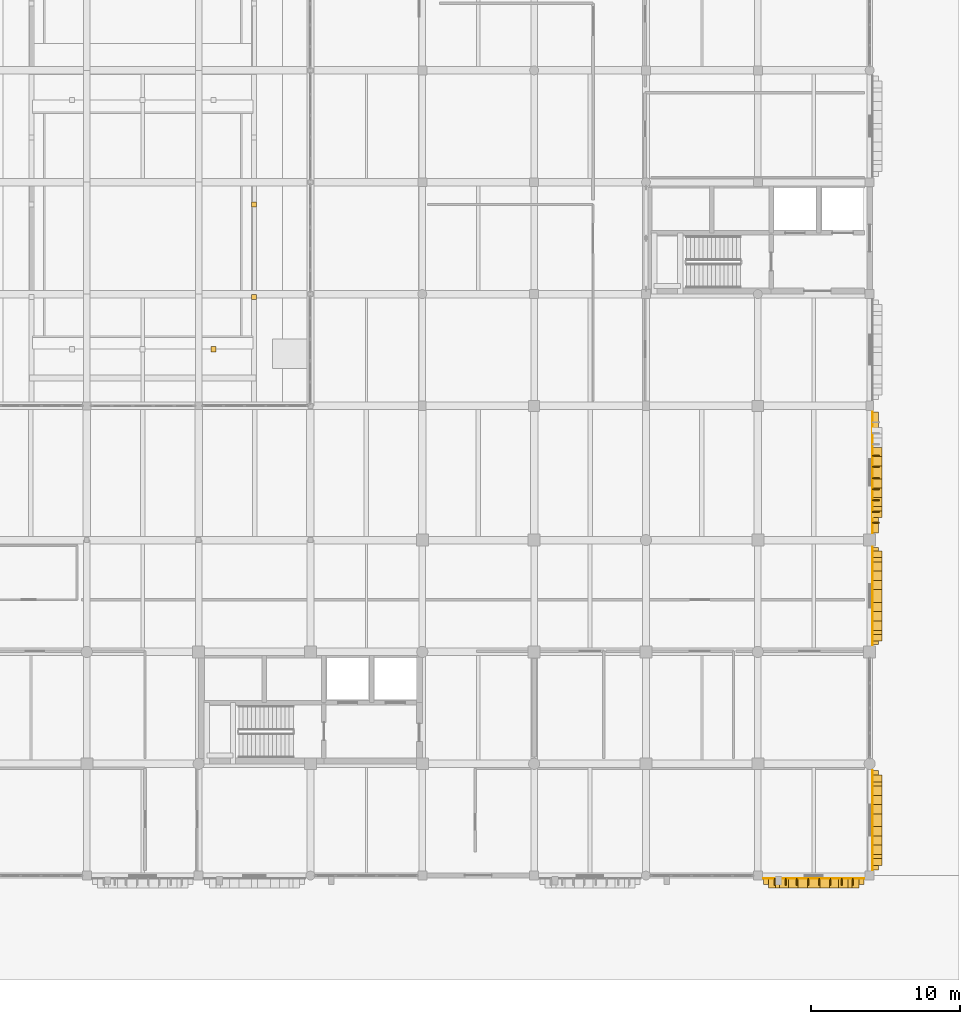
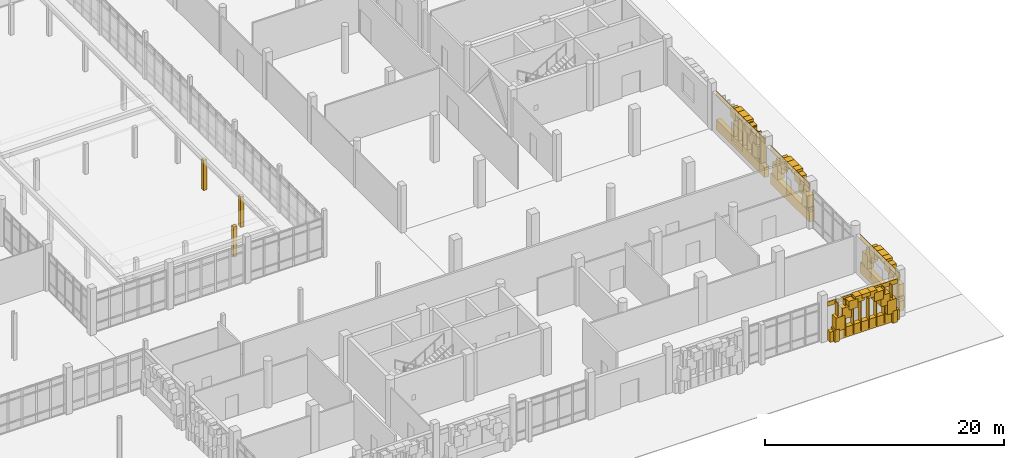
# One storey, part 119 of 125: 52 coverings, 15 shading devices.
"""IFC4 building model written with IfcOpenShell, lengths in metres."""

from ifc_helpers import new_model, si_unit, direction, frame, origin, origin_2d, place, context, subcontext, project, spatial, rectangle, extrude, material, layer, layer_set, type_object, element, save


model = new_model("IFC4")

# Units and contexts
model_context = context("Model", 3, precision=1e-05, world=origin(), true_north=direction((0.0, 1.0)))
body_context = subcontext(model_context, "Body", "Model", "MODEL_VIEW")
ifc_project = project(units=[si_unit("LENGTHUNIT", "METRE"), si_unit("AREAUNIT", "SQUARE_METRE"), si_unit("VOLUMEUNIT", "CUBIC_METRE"), si_unit("PLANEANGLEUNIT", "RADIAN"), si_unit("MASSUNIT", "GRAM", prefix="KILO")], contexts=[model_context])

# Site, building, storey
site_placement = place(None, origin())
site = spatial("IfcSite", under=ifc_project, at=site_placement, CompositionType="ELEMENT")
building_placement = place(site_placement, origin())
building = spatial("IfcBuilding", under=site, at=building_placement, Name="Dalvernix Boulevard General Hospital", CompositionType="ELEMENT")
storey_placement = place(building_placement, origin())
storey = spatial("IfcBuildingStorey", under=building, at=storey_placement, Name="L00", CompositionType="ELEMENT", Elevation=0.0)

# Coverings
ifc_material_1 = material(Name="Pressed Catalan clay brick and dressed limestone parabolic archivolt", Category="masonry")
ifc_layer_1 = layer(ifc_material_1, 0.419921875)
ifc_layer_set_1 = layer_set([ifc_layer_1], Name="Pressed Catalan clay brick and dressed limestone parabolic archivolt (COV-ARC-01)")
covering_type_1 = type_object("IfcCoveringType", Name="COV-ARC-01", PredefinedType="CLADDING", material=ifc_layer_set_1)
for number, where, z_axis, x_axis, name in (
    (1, (171.550048828125, -0.485107421875, 0.0), (0.0, 0.0, 1.0), (-1.0, 0.0, 0.0), "L00 Catalan parabolic arch impost pier S 22-0-L"),
    (2, (165.949951171875, -0.485107421875, 0.0), (0.0, 0.0, 1.0), (-1.0, 0.0, 0.0), "L00 Catalan parabolic arch impost pier S 22-0-R"),
):
    element("IfcCovering", number, at=place(storey_placement, frame(where, z_axis=z_axis, x_axis=x_axis)), inside=storey, type_object=covering_type_1, Name=name, PredefinedType="CLADDING", context=body_context, shape_type="SweptSolid", body=[
        extrude(rectangle(XDim=0.4599609375, YDim=0.659912109375, at=origin_2d()), origin(), (0.0, 0.0, 1.0), 1.25),
    ])
covering_1_placement = place(storey_placement, frame((171.239013671875, -0.485107421875, 1.059814453125), z_axis=(0.0, 0.0, 1.0), x_axis=(-1.0, 0.0, 0.0)))
element("IfcCovering", 3, at=covering_1_placement, inside=storey, type_object=covering_type_1, Name="L00 Catalan parabolic archivolt voussoir S 22-0-1", PredefinedType="CLADDING", context=body_context, shape_type="SweptSolid", body=[
    extrude(rectangle(XDim=0.8623046875, YDim=0.659912109375, at=origin_2d()), origin(), (0.0, 0.0, 1.0), 1.3994140625),
])
covering_2_placement = place(storey_placement, frame((170.61669921875, -0.485107421875, 2.07958984375), z_axis=(0.0, 0.0, 1.0), x_axis=(-1.0, 0.0, 0.0)))
element("IfcCovering", 4, at=covering_2_placement, inside=storey, type_object=covering_type_1, Name="L00 Catalan parabolic archivolt voussoir S 22-0-2", PredefinedType="CLADDING", context=body_context, shape_type="SweptSolid", body=[
    extrude(rectangle(XDim=0.8623046875, YDim=0.659912109375, at=origin_2d()), origin(), (0.0, 0.0, 1.0), 1.144287109375),
])
covering_3_placement = place(storey_placement, frame((169.994384765625, -0.485107421875, 2.84375), z_axis=(0.0, 0.0, 1.0), x_axis=(-1.0, 0.0, 0.0)))
element("IfcCovering", 5, at=covering_3_placement, inside=storey, type_object=covering_type_1, Name="L00 Catalan parabolic archivolt voussoir S 22-0-3", PredefinedType="CLADDING", context=body_context, shape_type="SweptSolid", body=[
    extrude(rectangle(XDim=0.8623046875, YDim=0.659912109375, at=origin_2d()), origin(), (0.0, 0.0, 1.0), 0.8896484375),
])
covering_4_placement = place(storey_placement, frame((169.372314453125, -0.485107421875, 3.353271484375), z_axis=(0.0, 0.0, 1.0), x_axis=(-1.0, 0.0, 0.0)))
element("IfcCovering", 6, at=covering_4_placement, inside=storey, type_object=covering_type_1, Name="L00 Catalan parabolic archivolt voussoir S 22-0-4", PredefinedType="CLADDING", context=body_context, shape_type="SweptSolid", body=[
    extrude(rectangle(XDim=0.8623046875, YDim=0.659912109375, at=origin_2d()), origin(), (0.0, 0.0, 1.0), 0.634765625),
])
covering_5_placement = place(storey_placement, frame((168.75, -0.485107421875, 3.608154296875), z_axis=(0.0, 0.0, 1.0), x_axis=(-1.0, 0.0, 0.0)))
element("IfcCovering", 7, at=covering_5_placement, inside=storey, type_object=covering_type_1, Name="L00 Catalan parabolic archivolt voussoir S 22-0-5", PredefinedType="CLADDING", context=body_context, shape_type="SweptSolid", body=[
    extrude(rectangle(XDim=0.8623046875, YDim=0.659912109375, at=origin_2d()), origin(), (0.0, 0.0, 1.0), 0.3798828125),
])
covering_6_placement = place(storey_placement, frame((168.127685546875, -0.485107421875, 3.353271484375), z_axis=(0.0, 0.0, 1.0), x_axis=(-1.0, 0.0, 0.0)))
element("IfcCovering", 8, at=covering_6_placement, inside=storey, type_object=covering_type_1, Name="L00 Catalan parabolic archivolt voussoir S 22-0-6", PredefinedType="CLADDING", context=body_context, shape_type="SweptSolid", body=[
    extrude(rectangle(XDim=0.8623046875, YDim=0.659912109375, at=origin_2d()), origin(), (0.0, 0.0, 1.0), 0.634765625),
])
covering_7_placement = place(storey_placement, frame((167.505615234375, -0.485107421875, 2.84375), z_axis=(0.0, 0.0, 1.0), x_axis=(-1.0, 0.0, 0.0)))
element("IfcCovering", 9, at=covering_7_placement, inside=storey, type_object=covering_type_1, Name="L00 Catalan parabolic archivolt voussoir S 22-0-7", PredefinedType="CLADDING", context=body_context, shape_type="SweptSolid", body=[
    extrude(rectangle(XDim=0.8623046875, YDim=0.659912109375, at=origin_2d()), origin(), (0.0, 0.0, 1.0), 0.8896484375),
])
covering_8_placement = place(storey_placement, frame((166.88330078125, -0.485107421875, 2.07958984375), z_axis=(0.0, 0.0, 1.0), x_axis=(-1.0, 0.0, 0.0)))
element("IfcCovering", 10, at=covering_8_placement, inside=storey, type_object=covering_type_1, Name="L00 Catalan parabolic archivolt voussoir S 22-0-8", PredefinedType="CLADDING", context=body_context, shape_type="SweptSolid", body=[
    extrude(rectangle(XDim=0.8623046875, YDim=0.659912109375, at=origin_2d()), origin(), (0.0, 0.0, 1.0), 1.144287109375),
])
covering_9_placement = place(storey_placement, frame((166.260986328125, -0.485107421875, 1.059814453125), z_axis=(0.0, 0.0, 1.0), x_axis=(-1.0, 0.0, 0.0)))
element("IfcCovering", 11, at=covering_9_placement, inside=storey, type_object=covering_type_1, Name="L00 Catalan parabolic archivolt voussoir S 22-0-9", PredefinedType="CLADDING", context=body_context, shape_type="SweptSolid", body=[
    extrude(rectangle(XDim=0.8623046875, YDim=0.659912109375, at=origin_2d()), origin(), (0.0, 0.0, 1.0), 1.3994140625),
])
for number, where, z_axis, x_axis, name in (
    (12, (172.985107421875, 6.512451171875, 0.0), (0.0, 0.0, 1.0), (0.0, -1.0, 0.0), "L00 Catalan parabolic arch impost pier E 23-0-L"),
    (13, (172.985107421875, 0.91259765625, 0.0), (0.0, 0.0, 1.0), (0.0, -1.0, 0.0), "L00 Catalan parabolic arch impost pier E 23-0-R"),
):
    element("IfcCovering", number, at=place(storey_placement, frame(where, z_axis=z_axis, x_axis=x_axis)), inside=storey, type_object=covering_type_1, Name=name, PredefinedType="CLADDING", context=body_context, shape_type="SweptSolid", body=[
        extrude(rectangle(XDim=0.4599609375, YDim=0.659912109375, at=origin_2d()), origin(), (0.0, 0.0, 1.0), 1.25),
    ])
covering_10_placement = place(storey_placement, frame((172.985107421875, 6.201416015625, 1.06005859375), z_axis=(0.0, 0.0, 1.0), x_axis=(0.0, -1.0, 0.0)))
element("IfcCovering", 14, at=covering_10_placement, inside=storey, type_object=covering_type_1, Name="L00 Catalan parabolic archivolt voussoir E 23-0-1", PredefinedType="CLADDING", context=body_context, shape_type="SweptSolid", body=[
    extrude(rectangle(XDim=0.8623046875, YDim=0.659912109375, at=origin_2d()), origin(), (0.0, 0.0, 1.0), 1.37939453125),
])
covering_11_placement = place(storey_placement, frame((172.985107421875, 5.5791015625, 2.0595703125), z_axis=(0.0, 0.0, 1.0), x_axis=(0.0, -1.0, 0.0)))
element("IfcCovering", 15, at=covering_11_placement, inside=storey, type_object=covering_type_1, Name="L00 Catalan parabolic archivolt voussoir E 23-0-2", PredefinedType="CLADDING", context=body_context, shape_type="SweptSolid", body=[
    extrude(rectangle(XDim=0.8623046875, YDim=0.659912109375, at=origin_2d()), origin(), (0.0, 0.0, 1.0), 1.129638671875),
])
covering_12_placement = place(storey_placement, frame((172.985107421875, 4.956787109375, 2.80908203125), z_axis=(0.0, 0.0, 1.0), x_axis=(0.0, -1.0, 0.0)))
element("IfcCovering", 16, at=covering_12_placement, inside=storey, type_object=covering_type_1, Name="L00 Catalan parabolic archivolt voussoir E 23-0-3", PredefinedType="CLADDING", context=body_context, shape_type="SweptSolid", body=[
    extrude(rectangle(XDim=0.8623046875, YDim=0.659912109375, at=origin_2d()), origin(), (0.0, 0.0, 1.0), 0.8798828125),
])
covering_13_placement = place(storey_placement, frame((172.985107421875, 4.334716796875, 3.308837890625), z_axis=(0.0, 0.0, 1.0), x_axis=(0.0, -1.0, 0.0)))
element("IfcCovering", 17, at=covering_13_placement, inside=storey, type_object=covering_type_1, Name="L00 Catalan parabolic archivolt voussoir E 23-0-4", PredefinedType="CLADDING", context=body_context, shape_type="SweptSolid", body=[
    extrude(rectangle(XDim=0.8623046875, YDim=0.659912109375, at=origin_2d()), origin(), (0.0, 0.0, 1.0), 0.6298828125),
])
covering_14_placement = place(storey_placement, frame((172.985107421875, 3.71240234375, 3.558837890625), z_axis=(0.0, 0.0, 1.0), x_axis=(0.0, -1.0, 0.0)))
element("IfcCovering", 18, at=covering_14_placement, inside=storey, type_object=covering_type_1, Name="L00 Catalan parabolic archivolt voussoir E 23-0-5", PredefinedType="CLADDING", context=body_context, shape_type="SweptSolid", body=[
    extrude(rectangle(XDim=0.8623046875, YDim=0.659912109375, at=origin_2d()), origin(), (0.0, 0.0, 1.0), 0.3798828125),
])
covering_15_placement = place(storey_placement, frame((172.985107421875, 3.09033203125, 3.308837890625), z_axis=(0.0, 0.0, 1.0), x_axis=(0.0, -1.0, 0.0)))
element("IfcCovering", 19, at=covering_15_placement, inside=storey, type_object=covering_type_1, Name="L00 Catalan parabolic archivolt voussoir E 23-0-6", PredefinedType="CLADDING", context=body_context, shape_type="SweptSolid", body=[
    extrude(rectangle(XDim=0.8623046875, YDim=0.659912109375, at=origin_2d()), origin(), (0.0, 0.0, 1.0), 0.6298828125),
])
covering_16_placement = place(storey_placement, frame((172.985107421875, 2.468017578125, 2.80908203125), z_axis=(0.0, 0.0, 1.0), x_axis=(0.0, -1.0, 0.0)))
element("IfcCovering", 20, at=covering_16_placement, inside=storey, type_object=covering_type_1, Name="L00 Catalan parabolic archivolt voussoir E 23-0-7", PredefinedType="CLADDING", context=body_context, shape_type="SweptSolid", body=[
    extrude(rectangle(XDim=0.8623046875, YDim=0.659912109375, at=origin_2d()), origin(), (0.0, 0.0, 1.0), 0.8798828125),
])
covering_17_placement = place(storey_placement, frame((172.985107421875, 1.845703125, 2.0595703125), z_axis=(0.0, 0.0, 1.0), x_axis=(0.0, -1.0, 0.0)))
element("IfcCovering", 21, at=covering_17_placement, inside=storey, type_object=covering_type_1, Name="L00 Catalan parabolic archivolt voussoir E 23-0-8", PredefinedType="CLADDING", context=body_context, shape_type="SweptSolid", body=[
    extrude(rectangle(XDim=0.8623046875, YDim=0.659912109375, at=origin_2d()), origin(), (0.0, 0.0, 1.0), 1.129638671875),
])
covering_18_placement = place(storey_placement, frame((172.985107421875, 1.2236328125, 1.06005859375), z_axis=(0.0, 0.0, 1.0), x_axis=(0.0, -1.0, 0.0)))
element("IfcCovering", 22, at=covering_18_placement, inside=storey, type_object=covering_type_1, Name="L00 Catalan parabolic archivolt voussoir E 23-0-9", PredefinedType="CLADDING", context=body_context, shape_type="SweptSolid", body=[
    extrude(rectangle(XDim=0.8623046875, YDim=0.659912109375, at=origin_2d()), origin(), (0.0, 0.0, 1.0), 1.37939453125),
])
for number, where, z_axis, x_axis, name in (
    (23, (172.985107421875, 21.550048828125, 0.0), (0.0, 0.0, 1.0), (0.0, -1.0, 0.0), "L00 Catalan parabolic arch impost pier E 23-2-L"),
    (24, (172.985107421875, 15.949951171875, 0.0), (0.0, 0.0, 1.0), (0.0, -1.0, 0.0), "L00 Catalan parabolic arch impost pier E 23-2-R"),
):
    element("IfcCovering", number, at=place(storey_placement, frame(where, z_axis=z_axis, x_axis=x_axis)), inside=storey, type_object=covering_type_1, Name=name, PredefinedType="CLADDING", context=body_context, shape_type="SweptSolid", body=[
        extrude(rectangle(XDim=0.4599609375, YDim=0.659912109375, at=origin_2d()), origin(), (0.0, 0.0, 1.0), 1.25),
    ])
covering_19_placement = place(storey_placement, frame((172.985107421875, 21.239013671875, 1.06005859375), z_axis=(0.0, 0.0, 1.0), x_axis=(0.0, -1.0, 0.0)))
element("IfcCovering", 25, at=covering_19_placement, inside=storey, type_object=covering_type_1, Name="L00 Catalan parabolic archivolt voussoir E 23-2-1", PredefinedType="CLADDING", context=body_context, shape_type="SweptSolid", body=[
    extrude(rectangle(XDim=0.8623046875, YDim=0.659912109375, at=origin_2d()), origin(), (0.0, 0.0, 1.0), 1.37939453125),
])
covering_20_placement = place(storey_placement, frame((172.985107421875, 20.61669921875, 2.0595703125), z_axis=(0.0, 0.0, 1.0), x_axis=(0.0, -1.0, 0.0)))
element("IfcCovering", 26, at=covering_20_placement, inside=storey, type_object=covering_type_1, Name="L00 Catalan parabolic archivolt voussoir E 23-2-2", PredefinedType="CLADDING", context=body_context, shape_type="SweptSolid", body=[
    extrude(rectangle(XDim=0.8623046875, YDim=0.659912109375, at=origin_2d()), origin(), (0.0, 0.0, 1.0), 1.129638671875),
])
covering_21_placement = place(storey_placement, frame((172.985107421875, 19.994384765625, 2.80908203125), z_axis=(0.0, 0.0, 1.0), x_axis=(0.0, -1.0, 0.0)))
element("IfcCovering", 27, at=covering_21_placement, inside=storey, type_object=covering_type_1, Name="L00 Catalan parabolic archivolt voussoir E 23-2-3", PredefinedType="CLADDING", context=body_context, shape_type="SweptSolid", body=[
    extrude(rectangle(XDim=0.8623046875, YDim=0.659912109375, at=origin_2d()), origin(), (0.0, 0.0, 1.0), 0.8798828125),
])
covering_22_placement = place(storey_placement, frame((172.985107421875, 19.372314453125, 3.308837890625), z_axis=(0.0, 0.0, 1.0), x_axis=(0.0, -1.0, 0.0)))
element("IfcCovering", 28, at=covering_22_placement, inside=storey, type_object=covering_type_1, Name="L00 Catalan parabolic archivolt voussoir E 23-2-4", PredefinedType="CLADDING", context=body_context, shape_type="SweptSolid", body=[
    extrude(rectangle(XDim=0.8623046875, YDim=0.659912109375, at=origin_2d()), origin(), (0.0, 0.0, 1.0), 0.6298828125),
])
covering_23_placement = place(storey_placement, frame((172.985107421875, 18.75, 3.558837890625), z_axis=(0.0, 0.0, 1.0), x_axis=(0.0, -1.0, 0.0)))
element("IfcCovering", 29, at=covering_23_placement, inside=storey, type_object=covering_type_1, Name="L00 Catalan parabolic archivolt voussoir E 23-2-5", PredefinedType="CLADDING", context=body_context, shape_type="SweptSolid", body=[
    extrude(rectangle(XDim=0.8623046875, YDim=0.659912109375, at=origin_2d()), origin(), (0.0, 0.0, 1.0), 0.3798828125),
])
covering_24_placement = place(storey_placement, frame((172.985107421875, 18.127685546875, 3.308837890625), z_axis=(0.0, 0.0, 1.0), x_axis=(0.0, -1.0, 0.0)))
element("IfcCovering", 30, at=covering_24_placement, inside=storey, type_object=covering_type_1, Name="L00 Catalan parabolic archivolt voussoir E 23-2-6", PredefinedType="CLADDING", context=body_context, shape_type="SweptSolid", body=[
    extrude(rectangle(XDim=0.8623046875, YDim=0.659912109375, at=origin_2d()), origin(), (0.0, 0.0, 1.0), 0.6298828125),
])
covering_25_placement = place(storey_placement, frame((172.985107421875, 17.505615234375, 2.80908203125), z_axis=(0.0, 0.0, 1.0), x_axis=(0.0, -1.0, 0.0)))
element("IfcCovering", 31, at=covering_25_placement, inside=storey, type_object=covering_type_1, Name="L00 Catalan parabolic archivolt voussoir E 23-2-7", PredefinedType="CLADDING", context=body_context, shape_type="SweptSolid", body=[
    extrude(rectangle(XDim=0.8623046875, YDim=0.659912109375, at=origin_2d()), origin(), (0.0, 0.0, 1.0), 0.8798828125),
])
covering_26_placement = place(storey_placement, frame((172.985107421875, 16.88330078125, 2.0595703125), z_axis=(0.0, 0.0, 1.0), x_axis=(0.0, -1.0, 0.0)))
element("IfcCovering", 32, at=covering_26_placement, inside=storey, type_object=covering_type_1, Name="L00 Catalan parabolic archivolt voussoir E 23-2-8", PredefinedType="CLADDING", context=body_context, shape_type="SweptSolid", body=[
    extrude(rectangle(XDim=0.8623046875, YDim=0.659912109375, at=origin_2d()), origin(), (0.0, 0.0, 1.0), 1.129638671875),
])
covering_27_placement = place(storey_placement, frame((172.985107421875, 16.260986328125, 1.06005859375), z_axis=(0.0, 0.0, 1.0), x_axis=(0.0, -1.0, 0.0)))
element("IfcCovering", 33, at=covering_27_placement, inside=storey, type_object=covering_type_1, Name="L00 Catalan parabolic archivolt voussoir E 23-2-9", PredefinedType="CLADDING", context=body_context, shape_type="SweptSolid", body=[
    extrude(rectangle(XDim=0.8623046875, YDim=0.659912109375, at=origin_2d()), origin(), (0.0, 0.0, 1.0), 1.37939453125),
])
covering_28_placement = place(storey_placement, frame((172.985107421875, 24.237548828125, 0.0), z_axis=(0.0, 0.0, 1.0), x_axis=(0.0, -1.0, 0.0)))
element("IfcCovering", 34, at=covering_28_placement, inside=storey, type_object=covering_type_1, Name="L00 Catalan parabolic arch impost pier E 23-3-R", PredefinedType="CLADDING", context=body_context, shape_type="SweptSolid", body=[
    extrude(rectangle(XDim=0.4599609375, YDim=0.659912109375, at=origin_2d()), origin(), (0.0, 0.0, 1.0), 1.25),
])
covering_29_placement = place(storey_placement, frame((172.985107421875, 28.281982421875, 2.84375), z_axis=(0.0, 0.0, 1.0), x_axis=(0.0, -1.0, 0.0)))
element("IfcCovering", 35, at=covering_29_placement, inside=storey, type_object=covering_type_1, Name="L00 Catalan parabolic archivolt voussoir E 23-3-3", PredefinedType="CLADDING", context=body_context, shape_type="SweptSolid", body=[
    extrude(rectangle(XDim=0.8623046875, YDim=0.659912109375, at=origin_2d()), origin(), (0.0, 0.0, 1.0), 0.8896484375),
])
covering_30_placement = place(storey_placement, frame((172.985107421875, 27.65966796875, 3.353271484375), z_axis=(0.0, 0.0, 1.0), x_axis=(0.0, -1.0, 0.0)))
element("IfcCovering", 36, at=covering_30_placement, inside=storey, type_object=covering_type_1, Name="L00 Catalan parabolic archivolt voussoir E 23-3-4", PredefinedType="CLADDING", context=body_context, shape_type="SweptSolid", body=[
    extrude(rectangle(XDim=0.8623046875, YDim=0.659912109375, at=origin_2d()), origin(), (0.0, 0.0, 1.0), 0.634765625),
])
covering_31_placement = place(storey_placement, frame((172.985107421875, 27.03759765625, 3.608154296875), z_axis=(0.0, 0.0, 1.0), x_axis=(0.0, -1.0, 0.0)))
element("IfcCovering", 37, at=covering_31_placement, inside=storey, type_object=covering_type_1, Name="L00 Catalan parabolic archivolt voussoir E 23-3-5", PredefinedType="CLADDING", context=body_context, shape_type="SweptSolid", body=[
    extrude(rectangle(XDim=0.8623046875, YDim=0.659912109375, at=origin_2d()), origin(), (0.0, 0.0, 1.0), 0.3798828125),
])
covering_32_placement = place(storey_placement, frame((172.985107421875, 26.415283203125, 3.353271484375), z_axis=(0.0, 0.0, 1.0), x_axis=(0.0, -1.0, 0.0)))
element("IfcCovering", 38, at=covering_32_placement, inside=storey, type_object=covering_type_1, Name="L00 Catalan parabolic archivolt voussoir E 23-3-6", PredefinedType="CLADDING", context=body_context, shape_type="SweptSolid", body=[
    extrude(rectangle(XDim=0.8623046875, YDim=0.659912109375, at=origin_2d()), origin(), (0.0, 0.0, 1.0), 0.634765625),
])
covering_33_placement = place(storey_placement, frame((172.985107421875, 25.793212890625, 2.84375), z_axis=(0.0, 0.0, 1.0), x_axis=(0.0, -1.0, 0.0)))
element("IfcCovering", 39, at=covering_33_placement, inside=storey, type_object=covering_type_1, Name="L00 Catalan parabolic archivolt voussoir E 23-3-7", PredefinedType="CLADDING", context=body_context, shape_type="SweptSolid", body=[
    extrude(rectangle(XDim=0.8623046875, YDim=0.659912109375, at=origin_2d()), origin(), (0.0, 0.0, 1.0), 0.8896484375),
])
covering_34_placement = place(storey_placement, frame((172.985107421875, 25.1708984375, 2.07958984375), z_axis=(0.0, 0.0, 1.0), x_axis=(0.0, -1.0, 0.0)))
element("IfcCovering", 40, at=covering_34_placement, inside=storey, type_object=covering_type_1, Name="L00 Catalan parabolic archivolt voussoir E 23-3-8", PredefinedType="CLADDING", context=body_context, shape_type="SweptSolid", body=[
    extrude(rectangle(XDim=0.8623046875, YDim=0.659912109375, at=origin_2d()), origin(), (0.0, 0.0, 1.0), 1.144287109375),
])
covering_35_placement = place(storey_placement, frame((172.985107421875, 24.548583984375, 1.059814453125), z_axis=(0.0, 0.0, 1.0), x_axis=(0.0, -1.0, 0.0)))
element("IfcCovering", 41, at=covering_35_placement, inside=storey, type_object=covering_type_1, Name="L00 Catalan parabolic archivolt voussoir E 23-3-9", PredefinedType="CLADDING", context=body_context, shape_type="SweptSolid", body=[
    extrude(rectangle(XDim=0.8623046875, YDim=0.659912109375, at=origin_2d()), origin(), (0.0, 0.0, 1.0), 1.3994140625),
])
ifc_material_2 = material(Name="Polychrome Catalan glazed ceramic spandrel tile panel")
ifc_layer_2 = layer(ifc_material_2, 0.044921875)
ifc_layer_set_2 = layer_set([ifc_layer_2], Name="Polychrome Catalan glazed ceramic spandrel tile panel (COV-CLD-01)")
covering_type_2 = type_object("IfcCoveringType", Name="COV-CLD-01", PredefinedType="CLADDING", material=ifc_layer_set_2)
covering_36_placement = place(storey_placement, frame((168.75, -0.195068359375, 3.47509765625), z_axis=(0.0, 0.0, 1.0), x_axis=(-1.0, 0.0, 0.0)))
element("IfcCovering", 42, at=covering_36_placement, inside=storey, type_object=covering_type_2, Name="L00 polychrome ceramic spandrel S 22-0", PredefinedType="CLADDING", context=body_context, shape_type="SweptSolid", body=[
    extrude(rectangle(XDim=6.780029296875, YDim=0.044921875, at=origin_2d()), origin(), (0.0, 0.0, 1.0), 0.449951171875),
])
covering_37_placement = place(storey_placement, frame((172.695068359375, 3.71240234375, 3.4248046875), z_axis=(0.0, 0.0, 1.0), x_axis=(0.0, -1.0, 0.0)))
element("IfcCovering", 43, at=covering_37_placement, inside=storey, type_object=covering_type_2, Name="L00 polychrome ceramic spandrel E 23-0", PredefinedType="CLADDING", context=body_context, shape_type="SweptSolid", body=[
    extrude(rectangle(XDim=6.705078125, YDim=0.044921875, at=origin_2d()), origin(), (0.0, 0.0, 1.0), 0.449951171875),
])
covering_38_placement = place(storey_placement, frame((172.695068359375, 18.75, 3.4248046875), z_axis=(0.0, 0.0, 1.0), x_axis=(0.0, -1.0, 0.0)))
element("IfcCovering", 44, at=covering_38_placement, inside=storey, type_object=covering_type_2, Name="L00 polychrome ceramic spandrel E 23-2", PredefinedType="CLADDING", context=body_context, shape_type="SweptSolid", body=[
    extrude(rectangle(XDim=6.580078125, YDim=0.044921875, at=origin_2d()), origin(), (0.0, 0.0, 1.0), 0.449951171875),
])
covering_39_placement = place(storey_placement, frame((172.695068359375, 27.03759765625, 3.47509765625), z_axis=(0.0, 0.0, 1.0), x_axis=(0.0, -1.0, 0.0)))
element("IfcCovering", 45, at=covering_39_placement, inside=storey, type_object=covering_type_2, Name="L00 polychrome ceramic spandrel E 23-3", PredefinedType="CLADDING", context=body_context, shape_type="SweptSolid", body=[
    extrude(rectangle(XDim=8.155029296875, YDim=0.044921875, at=origin_2d()), origin(), (0.0, 0.0, 1.0), 0.449951171875),
])
ifc_material_3 = material(Name="Dressed ochre limestone classical plinth, stringcourse and corbelled cornice", Category="masonry")
ifc_layer_3 = layer(ifc_material_3, 0.449951171875)
ifc_layer_set_3 = layer_set([ifc_layer_3], Name="Dressed ochre limestone classical plinth, stringcourse and corbelled cornice (COV-CRN-01)")
covering_type_3 = type_object("IfcCoveringType", Name="COV-CRN-01", PredefinedType="CLADDING", material=ifc_layer_set_3)
covering_40_placement = place(storey_placement, frame((168.75, -0.375, 0.0), z_axis=(0.0, 0.0, 1.0), x_axis=(-1.0, 0.0, 0.0)))
element("IfcCovering", 46, at=covering_40_placement, inside=storey, type_object=covering_type_3, Name="L00 rusticated limestone classical plinth S 22-0", PredefinedType="CLADDING", context=body_context, shape_type="SweptSolid", body=[
    extrude(rectangle(XDim=6.719970703125, YDim=0.43994140625, at=origin_2d()), origin(), (0.0, 0.0, 1.0), 1.0400390625),
])
covering_41_placement = place(storey_placement, frame((172.875, 3.71240234375, 0.0), z_axis=(0.0, 0.0, 1.0), x_axis=(0.0, -1.0, 0.0)))
element("IfcCovering", 47, at=covering_41_placement, inside=storey, type_object=covering_type_3, Name="L00 rusticated limestone classical plinth E 23-0", PredefinedType="CLADDING", context=body_context, shape_type="SweptSolid", body=[
    extrude(rectangle(XDim=6.64501953125, YDim=0.43994140625, at=origin_2d()), origin(), (0.0, 0.0, 1.0), 1.0400390625),
])
covering_42_placement = place(storey_placement, frame((172.875, 18.75, 0.0), z_axis=(0.0, 0.0, 1.0), x_axis=(0.0, -1.0, 0.0)))
element("IfcCovering", 48, at=covering_42_placement, inside=storey, type_object=covering_type_3, Name="L00 rusticated limestone classical plinth E 23-2", PredefinedType="CLADDING", context=body_context, shape_type="SweptSolid", body=[
    extrude(rectangle(XDim=6.52001953125, YDim=0.43994140625, at=origin_2d()), origin(), (0.0, 0.0, 1.0), 1.0400390625),
])
covering_43_placement = place(storey_placement, frame((172.875, 27.03759765625, 0.0), z_axis=(0.0, 0.0, 1.0), x_axis=(0.0, -1.0, 0.0)))
element("IfcCovering", 49, at=covering_43_placement, inside=storey, type_object=covering_type_3, Name="L00 rusticated limestone classical plinth E 23-3", PredefinedType="CLADDING", context=body_context, shape_type="SweptSolid", body=[
    extrude(rectangle(XDim=8.094970703125, YDim=0.43994140625, at=origin_2d()), origin(), (0.0, 0.0, 1.0), 1.0400390625),
])
ifc_material_4 = material(Name="Preservative-treated glulam GL28h cloister walkway post, beam and roof", Category="wood")
ifc_layer_4 = layer(ifc_material_4, 0.340087890625)
ifc_layer_set_4 = layer_set([ifc_layer_4], Name="Preservative-treated glulam GL28h cloister walkway post, beam and roof (COV-WKP-01)")
covering_type_4 = type_object("IfcCoveringType", Name="COV-WKP-01", PredefinedType="CLADDING", material=ifc_layer_set_4)
for number, where, z_axis, x_axis, name in (
    (50, (131.199951171875, 38.800048828125, 0.0), (0.0, 0.0, 1.0), (1.0, 0.0, 0.0), "ECOURT covered timber walkway post E-1"),
    (51, (131.199951171875, 45.0, 0.0), (0.0, 0.0, 1.0), (1.0, 0.0, 0.0), "ECOURT covered timber walkway post E-2"),
    (52, (128.5, 35.300048828125, 0.0), (0.0, 0.0, 1.0), (1.0, 0.0, 0.0), "ECOURT covered timber walkway post S-3"),
):
    element("IfcCovering", number, at=place(storey_placement, frame(where, z_axis=z_axis, x_axis=x_axis)), inside=storey, type_object=covering_type_4, Name=name, PredefinedType="CLADDING", context=body_context, shape_type="SweptSolid", body=[
        extrude(rectangle(XDim=0.340087890625, YDim=0.340087890625, at=origin_2d()), origin(), (0.0, 0.0, 1.0), 3.10009765625),
    ])

# Shading devices
ifc_material_5 = material(Name="Preservative-treated West African iroko timber", Category="wood")
shading_device_type = type_object("IfcShadingDeviceType", Name="SHD-FIN-01", PredefinedType="USERDEFINED", material=ifc_material_5)
for number, where, z_axis, x_axis, name in (
    (53, (171.375, -0.405029296875, 0.175048828125), (0.0, 0.0, 1.0), (-1.0, 0.0, 0.0), "L00 iroko brise-soleil fin 1"),
    (54, (170.625, -0.405029296875, 0.175048828125), (0.0, 0.0, 1.0), (-1.0, 0.0, 0.0), "L00 iroko brise-soleil fin 2"),
    (55, (169.875, -0.405029296875, 0.175048828125), (0.0, 0.0, 1.0), (-1.0, 0.0, 0.0), "L00 iroko brise-soleil fin 3"),
    (56, (169.125, -0.405029296875, 0.175048828125), (0.0, 0.0, 1.0), (-1.0, 0.0, 0.0), "L00 iroko brise-soleil fin 4"),
    (57, (168.375, -0.405029296875, 0.175048828125), (0.0, 0.0, 1.0), (-1.0, 0.0, 0.0), "L00 iroko brise-soleil fin 5"),
    (58, (167.625, -0.405029296875, 0.175048828125), (0.0, 0.0, 1.0), (-1.0, 0.0, 0.0), "L00 iroko brise-soleil fin 6"),
    (59, (166.875, -0.405029296875, 0.175048828125), (0.0, 0.0, 1.0), (-1.0, 0.0, 0.0), "L00 iroko brise-soleil fin 7"),
    (60, (166.125, -0.405029296875, 0.175048828125), (0.0, 0.0, 1.0), (-1.0, 0.0, 0.0), "L00 iroko brise-soleil fin 8"),
    (61, (172.905029296875, 28.16259765625, 0.175048828125), (0.0, 0.0, 1.0), (0.0, -1.0, 0.0), "L00 iroko brise-soleil fin 4"),
    (62, (172.905029296875, 27.41259765625, 0.175048828125), (0.0, 0.0, 1.0), (0.0, -1.0, 0.0), "L00 iroko brise-soleil fin 5"),
    (63, (172.905029296875, 26.66259765625, 0.175048828125), (0.0, 0.0, 1.0), (0.0, -1.0, 0.0), "L00 iroko brise-soleil fin 6"),
    (64, (172.905029296875, 25.91259765625, 0.175048828125), (0.0, 0.0, 1.0), (0.0, -1.0, 0.0), "L00 iroko brise-soleil fin 7"),
    (65, (172.905029296875, 25.16259765625, 0.175048828125), (0.0, 0.0, 1.0), (0.0, -1.0, 0.0), "L00 iroko brise-soleil fin 8"),
    (66, (172.905029296875, 24.41259765625, 0.175048828125), (0.0, 0.0, 1.0), (0.0, -1.0, 0.0), "L00 iroko brise-soleil fin 9"),
    (67, (172.905029296875, 23.66259765625, 0.175048828125), (0.0, 0.0, 1.0), (0.0, -1.0, 0.0), "L00 iroko brise-soleil fin 10"),
):
    element("IfcShadingDevice", number, at=place(storey_placement, frame(where, z_axis=z_axis, x_axis=x_axis)), inside=storey, type_object=shading_device_type, Name=name, ObjectType="FIN", PredefinedType="USERDEFINED", context=body_context, shape_type="SweptSolid", body=[
        extrude(rectangle(XDim=0.06494140625, YDim=0.47998046875, at=origin_2d()), origin(), (0.0, 0.0, 1.0), 3.60009765625),
    ])

save(model, "model.ifc")
